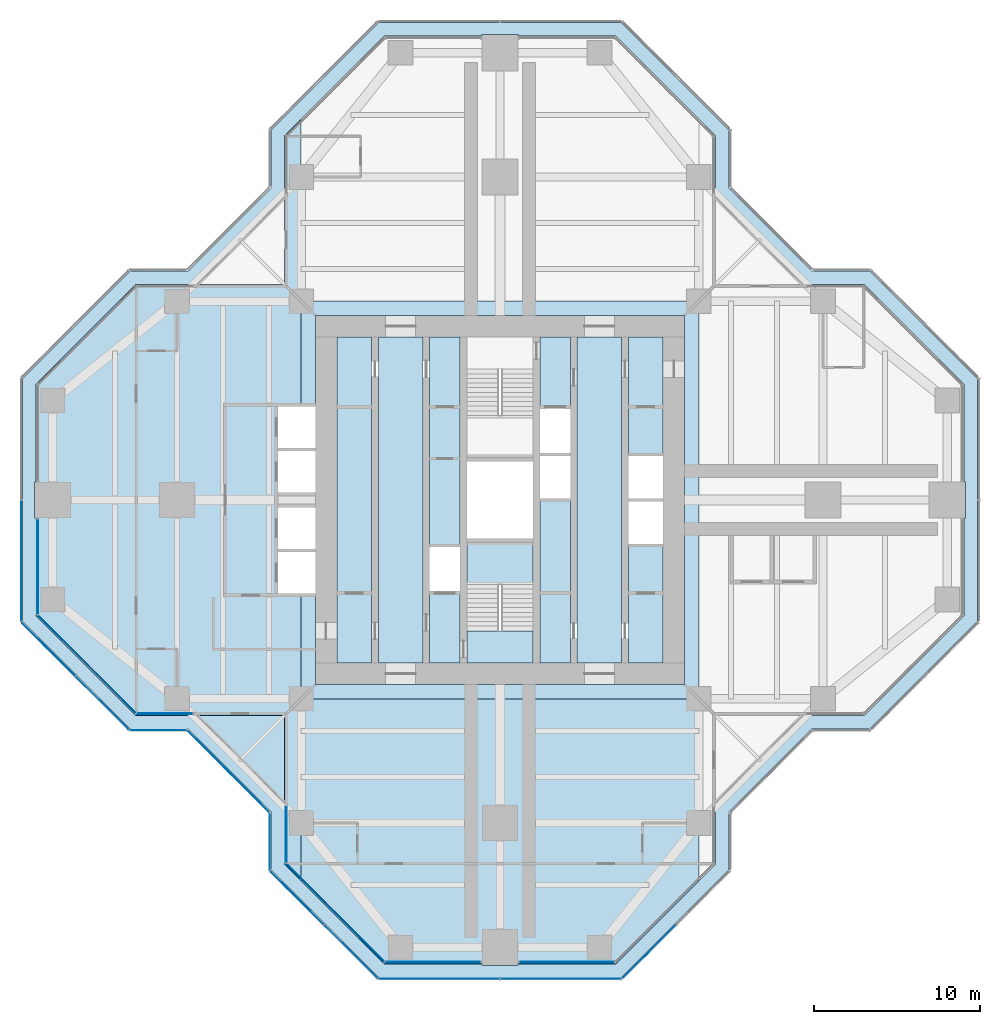
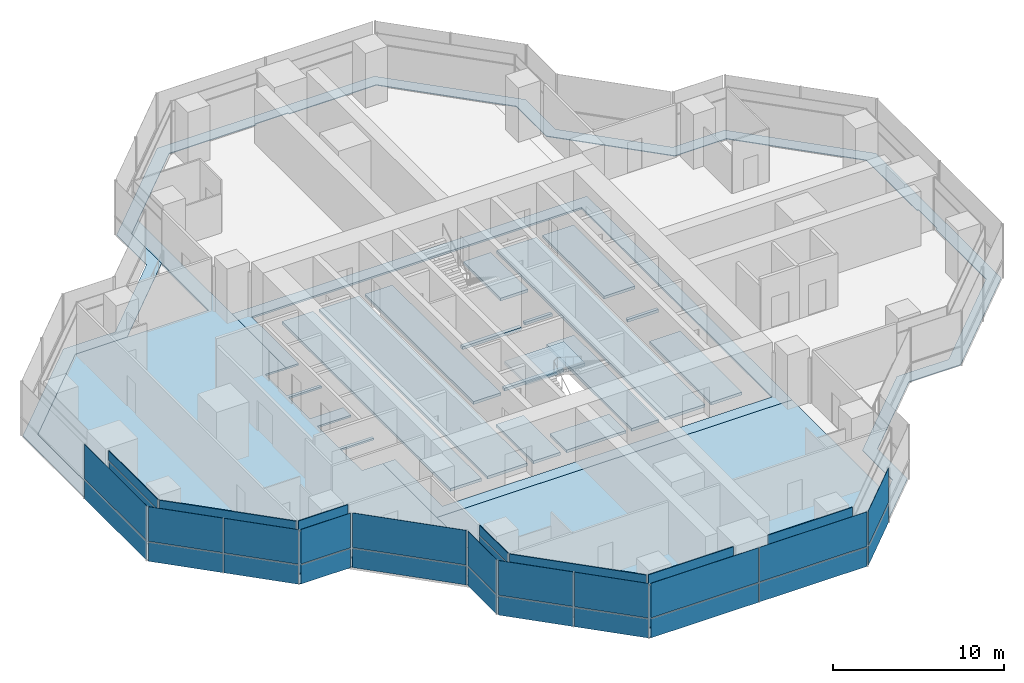
# One storey, part 10 of 17: 37 plates, 7 slabs, 16 elements without a shape of their own.
"""IFC4 building model written with IfcOpenShell, lengths in metres."""

from ifc_helpers import new_model, si_unit, direction, frame, origin, origin_2d, place, context, subcontext, project, spatial, polyline, rectangle, outline, extrude, material, layer, layer_set, type_object, element, aggregate, save


model = new_model("IFC4")

# Units and contexts
model_context = context("Model", 3, precision=1e-05, world=origin(), true_north=direction((0.0, 1.0)))
body_context = subcontext(model_context, "Body", "Model", "MODEL_VIEW")
ifc_project = project(units=[si_unit("LENGTHUNIT", "METRE"), si_unit("AREAUNIT", "SQUARE_METRE"), si_unit("VOLUMEUNIT", "CUBIC_METRE"), si_unit("PLANEANGLEUNIT", "RADIAN"), si_unit("MASSUNIT", "GRAM", prefix="KILO")], contexts=[model_context])

# Site, building, storey
site_placement = place(None, origin())
site = spatial("IfcSite", under=ifc_project, at=site_placement, CompositionType="ELEMENT")
building_placement = place(site_placement, origin())
building = spatial("IfcBuilding", under=site, at=building_placement, Name="Mizan Broadcast Tower", CompositionType="ELEMENT")
storey_placement = place(building_placement, frame((0.0, 0.0, 243.89990234375)))
storey = spatial("IfcBuildingStorey", under=building, at=storey_placement, Name="L57", CompositionType="ELEMENT", Elevation=243.89990234375)

# Plate
ifc_material_1 = material(Name="Aluminium grating", Category="aluminium")
ifc_layer_1 = layer(ifc_material_1, 0.050048828125)
ifc_layer_set_1 = layer_set([ifc_layer_1], Name="Aluminium grating")
plate_type_1 = type_object("IfcPlateType", Name="CAVITY GRATING", PredefinedType="USERDEFINED", material=ifc_layer_set_1)
plate_1_placement = place(storey_placement, frame((0.0, 0.0, -0.0498046875)))
element("IfcPlate", 1, at=plate_1_placement, inside=storey, type_object=plate_type_1, Name="Cavity grating L57", ObjectType="GRATING", PredefinedType="USERDEFINED", context=body_context, shape_type="SweptSolid", body=[
    extrude(outline(polyline([(13.820068359375, -18.839599609375), (18.839599609375, -13.820068359375), (22.339599609375, -13.820068359375), (28.820068359375, -7.339599609375), (28.820068359375, 7.339599609375), (22.339599609375, 13.820068359375), (18.839599609375, 13.820068359375), (13.820068359375, 18.839599609375), (13.820068359375, 22.339599609375), (7.339599609375, 28.820068359375), (-7.339599609375, 28.820068359375), (-13.820068359375, 22.339599609375), (-13.820068359375, 18.839599609375), (-18.839599609375, 13.820068359375), (-22.339599609375, 13.820068359375), (-28.820068359375, 7.339599609375), (-28.820068359375, -7.339599609375), (-22.339599609375, -13.820068359375), (-18.839599609375, -13.820068359375), (-13.820068359375, -18.839599609375), (-13.820068359375, -22.339599609375), (-7.339599609375, -28.820068359375), (7.339599609375, -28.820068359375), (13.820068359375, -22.339599609375), (13.820068359375, -18.839599609375)]), holes=[polyline([(28.0, -1.10009765625), (28.0, -7.0), (22.0, -13.0), (18.5, -13.0), (13.0, -18.5), (13.0, -22.0), (7.0, -28.0), (1.10009765625, -28.0), (1.10009765625, -28.10009765625), (-1.10009765625, -28.10009765625), (-1.10009765625, -28.0), (-7.0, -28.0), (-13.0, -22.0), (-13.0, -18.5), (-18.5, -13.0), (-22.0, -13.0), (-28.0, -7.0), (-28.0, -1.10009765625), (-28.10009765625, -1.10009765625), (-28.10009765625, 1.10009765625), (-28.0, 1.10009765625), (-28.0, 7.0), (-22.0, 13.0), (-18.5, 13.0), (-13.0, 18.5), (-13.0, 22.0), (-7.0, 28.0), (-1.10009765625, 28.0), (-1.10009765625, 28.10009765625), (1.10009765625, 28.10009765625), (1.10009765625, 28.0), (7.0, 28.0), (13.0, 22.0), (13.0, 18.5), (18.5, 13.0), (22.0, 13.0), (28.0, 7.0), (28.0, 1.10009765625), (28.10009765625, 1.10009765625), (28.10009765625, -1.10009765625), (28.0, -1.10009765625)])]), origin(), (0.0, 0.0, 1.0), 0.0498046875),
])

# Slabs
ifc_material_2 = material(Name="Concrete C32/40", Category="concrete")
ifc_layer_2 = layer(ifc_material_2, 0.1298828125)
ifc_layer_set_2 = layer_set([ifc_layer_2], Name="Concrete C32/40")
slab_type_1 = type_object("IfcSlabType", Name="COMPOSITE DECK SLAB 130", PredefinedType="FLOOR", material=ifc_layer_set_2)
slab_1_placement = place(storey_placement, frame((0.0, 0.0, -0.1298828125)))
element("IfcSlab", 2, at=slab_1_placement, inside=storey, type_object=slab_type_1, Name="Floor slab L57 centre", PredefinedType="FLOOR", context=body_context, shape_type="SweptSolid", body=[
    extrude(outline(polyline([(-11.14990234375, -5.64990234375), (-12.0, -5.64990234375), (-12.0, -12.0), (12.0, -12.0), (12.0, 12.0), (-12.0, 12.0), (-12.0, 5.64990234375), (-11.14990234375, 5.64990234375), (-11.14990234375, 11.14990234375), (11.14990234375, 11.14990234375), (11.14990234375, -11.14990234375), (-11.14990234375, -11.14990234375), (-11.14990234375, -5.64990234375)])), origin(), (0.0, 0.0, 1.0), 0.1298828125),
])
slab_2_placement = place(storey_placement, frame((0.0, 0.0, -0.1298828125)))
element("IfcSlab", 3, at=slab_2_placement, inside=storey, type_object=slab_type_1, Name="Floor slab L57 west arm", PredefinedType="FLOOR", context=body_context, shape_type="SweptSolid", body=[
    extrude(outline(polyline([(-22.0, 13.0), (-28.0, 7.0), (-28.0, -7.0), (-22.0, -13.0), (-13.0, -13.0), (-13.0, -22.0), (-12.0, -23.0), (-12.0, -5.64990234375), (-13.39990234375, -5.64990234375), (-13.39990234375, -3.14990234375), (-11.14990234375, -3.14990234375), (-11.14990234375, -2.949951171875), (-13.39990234375, -2.949951171875), (-13.39990234375, -0.449951171875), (-11.14990234375, -0.449951171875), (-11.14990234375, 0.449951171875), (-13.39990234375, 0.449951171875), (-13.39990234375, 2.949951171875), (-11.14990234375, 2.949951171875), (-11.14990234375, 3.14990234375), (-13.39990234375, 3.14990234375), (-13.39990234375, 5.64990234375), (-12.0, 5.64990234375), (-12.0, 23.0), (-13.0, 22.0), (-13.0, 13.0), (-22.0, 13.0)])), origin(), (0.0, 0.0, 1.0), 0.1298828125),
])
slab_3_placement = place(storey_placement, frame((0.0, 0.0, -0.1298828125)))
element("IfcSlab", 4, at=slab_3_placement, inside=storey, type_object=slab_type_1, Name="Floor slab L57 south arm", PredefinedType="FLOOR", context=body_context, shape_type="SweptSolid", body=[
    extrude(outline(polyline([(7.0, -28.0), (12.0, -23.0), (12.0, -12.0), (-12.0, -12.0), (-12.0, -23.0), (-7.0, -28.0), (7.0, -28.0)])), origin(), (0.0, 0.0, 1.0), 0.1298828125),
])
ifc_material_3 = material(Name="Concrete C40/50", Category="concrete")
ifc_layer_3 = layer(ifc_material_3, 0.199951171875)
ifc_layer_set_3 = layer_set([ifc_layer_3], Name="Concrete C40/50")
slab_type_2 = type_object("IfcSlabType", Name="CORE FLOOR 200", PredefinedType="FLOOR", material=ifc_layer_set_3)
slab_4_placement = place(storey_placement, frame((0.0, 0.0, -0.199951171875)))
element("IfcSlab", 5, at=slab_4_placement, inside=storey, type_object=slab_type_2, Name="Core floor L57", PredefinedType="FLOOR", context=body_context, shape_type="SweptSolid", body=[
    extrude(outline(polyline([(-9.85009765625, -9.85009765625), (-7.75, -9.85009765625), (-7.75, 9.85009765625), (-9.85009765625, 9.85009765625), (-9.85009765625, -9.85009765625)])), origin(), (0.0, 0.0, 1.0), 0.199951171875),
    extrude(outline(polyline([(-4.64990234375, 9.85009765625), (-7.35009765625, 9.85009765625), (-7.35009765625, -9.85009765625), (-4.64990234375, -9.85009765625), (-4.64990234375, 9.85009765625)])), origin(), (0.0, 0.0, 1.0), 0.199951171875),
    extrude(outline(polyline([(-4.25, -5.5), (-4.25, -9.85009765625), (-2.39990234375, -9.85009765625), (-2.39990234375, -5.5), (-4.25, -5.5)])), origin(), (0.0, 0.0, 1.0), 0.199951171875),
    extrude(outline(polyline([(-4.25, -2.85009765625), (-2.39990234375, -2.85009765625), (-2.39990234375, 9.85009765625), (-4.25, 9.85009765625), (-4.25, -2.85009765625)])), origin(), (0.0, 0.0, 1.0), 0.199951171875),
    extrude(outline(polyline([(2.0, -2.324951171875), (-2.0, -2.324951171875), (-2.0, -2.574951171875), (2.0, -2.574951171875), (2.0, -2.324951171875)])), origin(), (0.0, 0.0, 1.0), 0.199951171875),
    extrude(outline(polyline([(2.0, 2.574951171875), (-2.0, 2.574951171875), (-2.0, 2.324951171875), (2.0, 2.324951171875), (2.0, 2.574951171875)])), origin(), (0.0, 0.0, 1.0), 0.199951171875),
    extrude(outline(polyline([(4.25, -9.85009765625), (4.25, 0.10009765625), (2.39990234375, 0.10009765625), (2.39990234375, -9.85009765625), (4.25, -9.85009765625)])), origin(), (0.0, 0.0, 1.0), 0.199951171875),
    extrude(outline(polyline([(4.25, 2.64990234375), (4.25, 2.85009765625), (2.39990234375, 2.85009765625), (2.39990234375, 2.64990234375), (4.25, 2.64990234375)])), origin(), (0.0, 0.0, 1.0), 0.199951171875),
    extrude(outline(polyline([(4.25, 5.5), (4.25, 9.85009765625), (2.39990234375, 9.85009765625), (2.39990234375, 5.5), (4.25, 5.5)])), origin(), (0.0, 0.0, 1.0), 0.199951171875),
    extrude(outline(polyline([(4.64990234375, 9.85009765625), (4.64990234375, -9.85009765625), (7.35009765625, -9.85009765625), (7.35009765625, 9.85009765625), (4.64990234375, 9.85009765625)])), origin(), (0.0, 0.0, 1.0), 0.199951171875),
    extrude(outline(polyline([(9.85009765625, -9.85009765625), (9.85009765625, -2.64990234375), (7.75, -2.64990234375), (7.75, -9.85009765625), (9.85009765625, -9.85009765625)])), origin(), (0.0, 0.0, 1.0), 0.199951171875),
    extrude(outline(polyline([(9.85009765625, -0.10009765625), (9.85009765625, 0.10009765625), (7.75, 0.10009765625), (7.75, -0.10009765625), (9.85009765625, -0.10009765625)])), origin(), (0.0, 0.0, 1.0), 0.199951171875),
    extrude(outline(polyline([(7.75, 9.85009765625), (7.75, 2.64990234375), (9.85009765625, 2.64990234375), (9.85009765625, 9.85009765625), (7.75, 9.85009765625)])), origin(), (0.0, 0.0, 1.0), 0.199951171875),
])

# Curtain wall, plate
ifc_material_4 = material(Name="Aluminium framed glazing", Category="aluminium")
curtain_wall_type_1 = type_object("IfcCurtainWallType", Name="INNER SKIN HIGH ZONE", PredefinedType="USERDEFINED", material=ifc_material_4)
curtain_wall_1_placement = place(storey_placement, origin())
curtain_wall_1 = element("IfcCurtainWall", 6, at=curtain_wall_1_placement, inside=storey, type_object=curtain_wall_type_1, Name="Inner skin high zone L57 W end", ObjectType="INNER SKIN HIGH ZONE", PredefinedType="USERDEFINED")
ifc_material_5 = material(Name="Double glazing, clear low-e", Category="glass")
ifc_layer_4 = layer(ifc_material_5, 0.028076171875)
ifc_layer_set_4 = layer_set([ifc_layer_4], Name="Double glazing, clear low-e")
plate_type_2 = type_object("IfcPlateType", Name="INNER SKIN GLAZING UNIT", PredefinedType="CURTAIN_PANEL", material=ifc_layer_set_4)
plate_2_placement = place(storey_placement, frame((-27.89990234375, -4.029296875, 0.0), z_axis=(0.0, 0.0, 1.0), x_axis=(0.0, -1.0, 0.0)))
plate_2 = element("IfcPlate", 7, at=plate_2_placement, type_object=plate_type_2, Name="Inner skin high zone L57 W end panel 1.1", PredefinedType="CURTAIN_PANEL", context=body_context, shape_type="SweptSolid", body=[
    extrude(rectangle(XDim=5.738525390625, YDim=0.028076171875, at=origin_2d()), origin(), (0.0, 0.0, 1.0), 3.0),
])

curtain_wall_2_placement = place(storey_placement, origin())
curtain_wall_2 = element("IfcCurtainWall", 8, at=curtain_wall_2_placement, inside=storey, type_object=curtain_wall_type_1, Name="Inner skin high zone L57 W chamfer", ObjectType="INNER SKIN HIGH ZONE", PredefinedType="USERDEFINED")
plate_3_placement = place(storey_placement, frame((-24.92919921875, -9.92919921875, 0.0), z_axis=(0.0, 0.0, 1.0), x_axis=(0.707106781187, -0.707106781187, 0.0)))
plate_3 = element("IfcPlate", 9, at=plate_3_placement, type_object=plate_type_2, Name="Inner skin high zone L57 W chamfer panel 1.1", PredefinedType="CURTAIN_PANEL", context=body_context, shape_type="SweptSolid", body=[
    extrude(rectangle(XDim=8.282470703125, YDim=0.028076171875, at=origin_2d()), origin(), (0.0, 0.0, 1.0), 3.0),
])

curtain_wall_3_placement = place(storey_placement, origin())
curtain_wall_3 = element("IfcCurtainWall", 10, at=curtain_wall_3_placement, inside=storey, type_object=curtain_wall_type_1, Name="Inner skin high zone L57 W side", ObjectType="INNER SKIN HIGH ZONE", PredefinedType="USERDEFINED")
plate_4_placement = place(storey_placement, frame((-20.229248046875, -12.89990234375, 0.0), z_axis=(0.0, 0.0, 1.0), x_axis=(1.0, 0.0, 0.0)))
plate_4 = element("IfcPlate", 11, at=plate_4_placement, type_object=plate_type_2, Name="Inner skin high zone L57 W side panel 1.1", PredefinedType="CURTAIN_PANEL", context=body_context, shape_type="SweptSolid", body=[
    extrude(rectangle(XDim=3.338623046875, YDim=0.028076171875, at=origin_2d()), origin(), (0.0, 0.0, 1.0), 3.0),
])

curtain_wall_4_placement = place(storey_placement, origin())
curtain_wall_4 = element("IfcCurtainWall", 12, at=curtain_wall_4_placement, inside=storey, type_object=curtain_wall_type_1, Name="Inner skin high zone L57 S side", ObjectType="INNER SKIN HIGH ZONE", PredefinedType="USERDEFINED")
plate_5_placement = place(storey_placement, frame((-12.89990234375, -20.229248046875, 0.0), z_axis=(0.0, 0.0, 1.0), x_axis=(0.0, -1.0, 0.0)))
plate_5 = element("IfcPlate", 13, at=plate_5_placement, type_object=plate_type_2, Name="Inner skin high zone L57 S side panel 1.1", PredefinedType="CURTAIN_PANEL", context=body_context, shape_type="SweptSolid", body=[
    extrude(rectangle(XDim=3.338623046875, YDim=0.028076171875, at=origin_2d()), origin(), (0.0, 0.0, 1.0), 3.0),
])

curtain_wall_5_placement = place(storey_placement, origin())
curtain_wall_5 = element("IfcCurtainWall", 14, at=curtain_wall_5_placement, inside=storey, type_object=curtain_wall_type_1, Name="Inner skin high zone L57 S chamfer", ObjectType="INNER SKIN HIGH ZONE", PredefinedType="USERDEFINED")
plate_6_placement = place(storey_placement, frame((-9.92919921875, -24.92919921875, 0.0), z_axis=(0.0, 0.0, 1.0), x_axis=(0.707106781187, -0.707106781187, 0.0)))
plate_6 = element("IfcPlate", 15, at=plate_6_placement, type_object=plate_type_2, Name="Inner skin high zone L57 S chamfer panel 1.1", PredefinedType="CURTAIN_PANEL", context=body_context, shape_type="SweptSolid", body=[
    extrude(rectangle(XDim=8.282470703125, YDim=0.028076171875, at=origin_2d()), origin(), (0.0, 0.0, 1.0), 3.0),
])

curtain_wall_6_placement = place(storey_placement, origin())
curtain_wall_6 = element("IfcCurtainWall", 16, at=curtain_wall_6_placement, inside=storey, type_object=curtain_wall_type_1, Name="Inner skin high zone L57 S end", ObjectType="INNER SKIN HIGH ZONE", PredefinedType="USERDEFINED")
plate_7_placement = place(storey_placement, frame((-4.029296875, -27.89990234375, 0.0), z_axis=(0.0, 0.0, 1.0), x_axis=(1.0, 0.0, 0.0)))
plate_7 = element("IfcPlate", 17, at=plate_7_placement, type_object=plate_type_2, Name="Inner skin high zone L57 S end panel 1.1", PredefinedType="CURTAIN_PANEL", context=body_context, shape_type="SweptSolid", body=[
    extrude(rectangle(XDim=5.738525390625, YDim=0.028076171875, at=origin_2d()), origin(), (0.0, 0.0, 1.0), 3.0),
])

curtain_wall_7_placement = place(storey_placement, origin())
curtain_wall_7 = element("IfcCurtainWall", 18, at=curtain_wall_7_placement, inside=storey, type_object=curtain_wall_type_1, Name="Inner skin high zone L57 S end", ObjectType="INNER SKIN HIGH ZONE", PredefinedType="USERDEFINED")
plate_8_placement = place(storey_placement, frame((4.029296875, -27.89990234375, 0.0), z_axis=(0.0, 0.0, 1.0), x_axis=(1.0, 0.0, 0.0)))
plate_8 = element("IfcPlate", 19, at=plate_8_placement, type_object=plate_type_2, Name="Inner skin high zone L57 S end panel 1.1", PredefinedType="CURTAIN_PANEL", context=body_context, shape_type="SweptSolid", body=[
    extrude(rectangle(XDim=5.738525390625, YDim=0.028076171875, at=origin_2d()), origin(), (0.0, 0.0, 1.0), 3.0),
])

# Plate
ifc_material_6 = material(Name="Insulated aluminium spandrel panel, pale anodised", Category="aluminium")
ifc_layer_5 = layer(ifc_material_6, 0.050048828125)
ifc_layer_set_5 = layer_set([ifc_layer_5], Name="Insulated aluminium spandrel panel, pale anodised")
plate_type_3 = type_object("IfcPlateType", Name="INNER SKIN SPANDREL PANEL", PredefinedType="CURTAIN_PANEL", material=ifc_layer_set_5)
plate_9_placement = place(storey_placement, frame((-27.89990234375, -4.029296875, 3.06005859375), z_axis=(0.0, 0.0, 1.0), x_axis=(0.0, -1.0, 0.0)))
plate_9 = element("IfcPlate", 20, at=plate_9_placement, type_object=plate_type_3, Name="Inner skin high zone L57 W end panel 1.2", PredefinedType="CURTAIN_PANEL", context=body_context, shape_type="SweptSolid", body=[
    extrude(rectangle(XDim=5.738525390625, YDim=0.050048828125, at=origin_2d()), origin(), (0.0, 0.0, 1.0), 0.7099609375),
])

aggregate(curtain_wall_1, [plate_2, plate_9])

plate_10_placement = place(storey_placement, frame((-24.92919921875, -9.92919921875, 3.06005859375), z_axis=(0.0, 0.0, 1.0), x_axis=(0.707106781187, -0.707106781187, 0.0)))
plate_10 = element("IfcPlate", 21, at=plate_10_placement, type_object=plate_type_3, Name="Inner skin high zone L57 W chamfer panel 1.2", PredefinedType="CURTAIN_PANEL", context=body_context, shape_type="SweptSolid", body=[
    extrude(rectangle(XDim=8.282470703125, YDim=0.050048828125, at=origin_2d()), origin(), (0.0, 0.0, 1.0), 0.7099609375),
])

aggregate(curtain_wall_2, [plate_3, plate_10])

plate_11_placement = place(storey_placement, frame((-20.229248046875, -12.89990234375, 3.06005859375), z_axis=(0.0, 0.0, 1.0), x_axis=(1.0, 0.0, 0.0)))
plate_11 = element("IfcPlate", 22, at=plate_11_placement, type_object=plate_type_3, Name="Inner skin high zone L57 W side panel 1.2", PredefinedType="CURTAIN_PANEL", context=body_context, shape_type="SweptSolid", body=[
    extrude(rectangle(XDim=3.338623046875, YDim=0.050048828125, at=origin_2d()), origin(), (0.0, 0.0, 1.0), 0.7099609375),
])

aggregate(curtain_wall_3, [plate_4, plate_11])

plate_12_placement = place(storey_placement, frame((-12.89990234375, -20.229248046875, 3.06005859375), z_axis=(0.0, 0.0, 1.0), x_axis=(0.0, -1.0, 0.0)))
plate_12 = element("IfcPlate", 23, at=plate_12_placement, type_object=plate_type_3, Name="Inner skin high zone L57 S side panel 1.2", PredefinedType="CURTAIN_PANEL", context=body_context, shape_type="SweptSolid", body=[
    extrude(rectangle(XDim=3.338623046875, YDim=0.050048828125, at=origin_2d()), origin(), (0.0, 0.0, 1.0), 0.7099609375),
])

aggregate(curtain_wall_4, [plate_5, plate_12])

plate_13_placement = place(storey_placement, frame((-9.92919921875, -24.92919921875, 3.06005859375), z_axis=(0.0, 0.0, 1.0), x_axis=(0.707106781187, -0.707106781187, 0.0)))
plate_13 = element("IfcPlate", 24, at=plate_13_placement, type_object=plate_type_3, Name="Inner skin high zone L57 S chamfer panel 1.2", PredefinedType="CURTAIN_PANEL", context=body_context, shape_type="SweptSolid", body=[
    extrude(rectangle(XDim=8.282470703125, YDim=0.050048828125, at=origin_2d()), origin(), (0.0, 0.0, 1.0), 0.7099609375),
])

aggregate(curtain_wall_5, [plate_6, plate_13])

plate_14_placement = place(storey_placement, frame((-4.029296875, -27.89990234375, 3.06005859375), z_axis=(0.0, 0.0, 1.0), x_axis=(1.0, 0.0, 0.0)))
plate_14 = element("IfcPlate", 25, at=plate_14_placement, type_object=plate_type_3, Name="Inner skin high zone L57 S end panel 1.2", PredefinedType="CURTAIN_PANEL", context=body_context, shape_type="SweptSolid", body=[
    extrude(rectangle(XDim=5.738525390625, YDim=0.050048828125, at=origin_2d()), origin(), (0.0, 0.0, 1.0), 0.7099609375),
])

aggregate(curtain_wall_6, [plate_7, plate_14])

plate_15_placement = place(storey_placement, frame((4.029296875, -27.89990234375, 3.06005859375), z_axis=(0.0, 0.0, 1.0), x_axis=(1.0, 0.0, 0.0)))
plate_15 = element("IfcPlate", 26, at=plate_15_placement, type_object=plate_type_3, Name="Inner skin high zone L57 S end panel 1.2", PredefinedType="CURTAIN_PANEL", context=body_context, shape_type="SweptSolid", body=[
    extrude(rectangle(XDim=5.738525390625, YDim=0.050048828125, at=origin_2d()), origin(), (0.0, 0.0, 1.0), 0.7099609375),
])

aggregate(curtain_wall_7, [plate_8, plate_15])

# Curtain wall, plates
ifc_material_7 = material(Name="Aluminium framed glazing", Category="aluminium")
curtain_wall_type_2 = type_object("IfcCurtainWallType", Name="OUTER SKIN", PredefinedType="USERDEFINED", material=ifc_material_7)
curtain_wall_8_placement = place(storey_placement, origin())
curtain_wall_8 = element("IfcCurtainWall", 27, at=curtain_wall_8_placement, inside=storey, type_object=curtain_wall_type_2, Name="Outer skin L57 W chamfer", ObjectType="OUTER SKIN", PredefinedType="USERDEFINED")
ifc_material_8 = material(Name="Laminated clear glass", Category="glass")
ifc_layer_6 = layer(ifc_material_8, 0.02001953125)
ifc_layer_set_6 = layer_set([ifc_layer_6], Name="Laminated clear glass")
plate_type_4 = type_object("IfcPlateType", Name="OUTER SKIN CLEAR GLASS", PredefinedType="CURTAIN_PANEL", material=ifc_layer_set_6)
plate_16_placement = place(storey_placement, frame((-27.254150390625, -9.018798828125, 0.0), z_axis=(0.0, 0.0, 1.0), x_axis=(0.707106781187, -0.707106781187, 0.0)))
plate_16 = element("IfcPlate", 28, at=plate_16_placement, type_object=plate_type_4, Name="Outer skin L57 W chamfer panel 1.1", PredefinedType="CURTAIN_PANEL", context=body_context, shape_type="SweptSolid", body=[
    extrude(rectangle(XDim=4.495361328125, YDim=0.02001953125, at=origin_2d()), origin(), (0.0, 0.0, 1.0), 1.3701171875),
])
plate_17_placement = place(storey_placement, frame((-27.254150390625, -9.018798828125, 1.43017578125), z_axis=(0.0, 0.0, 1.0), x_axis=(0.707106781187, -0.707106781187, 0.0)))
plate_17 = element("IfcPlate", 29, at=plate_17_placement, type_object=plate_type_4, Name="Outer skin L57 W chamfer panel 1.2", PredefinedType="CURTAIN_PANEL", context=body_context, shape_type="SweptSolid", body=[
    extrude(rectangle(XDim=4.495361328125, YDim=0.02001953125, at=origin_2d()), origin(), (0.0, 0.0, 1.0), 2.469970703125),
])

curtain_wall_9_placement = place(storey_placement, origin())
curtain_wall_9 = element("IfcCurtainWall", 30, at=curtain_wall_9_placement, inside=storey, type_object=curtain_wall_type_2, Name="Outer skin L57 W side", ObjectType="OUTER SKIN", PredefinedType="USERDEFINED")
plate_18_placement = place(storey_placement, frame((-20.622802734375, -13.89990234375, 0.0), z_axis=(0.0, 0.0, 1.0), x_axis=(1.0, 0.0, 0.0)))
plate_18 = element("IfcPlate", 31, at=plate_18_placement, type_object=plate_type_4, Name="Outer skin L57 W side panel 1.1", PredefinedType="CURTAIN_PANEL", context=body_context, shape_type="SweptSolid", body=[
    extrude(rectangle(XDim=3.340087890625, YDim=0.02001953125, at=origin_2d()), origin(), (0.0, 0.0, 1.0), 1.3701171875),
])
plate_19_placement = place(storey_placement, frame((-20.622802734375, -13.89990234375, 1.43017578125), z_axis=(0.0, 0.0, 1.0), x_axis=(1.0, 0.0, 0.0)))
plate_19 = element("IfcPlate", 32, at=plate_19_placement, type_object=plate_type_4, Name="Outer skin L57 W side panel 1.2", PredefinedType="CURTAIN_PANEL", context=body_context, shape_type="SweptSolid", body=[
    extrude(rectangle(XDim=3.340087890625, YDim=0.02001953125, at=origin_2d()), origin(), (0.0, 0.0, 1.0), 2.469970703125),
])
aggregate(curtain_wall_9, [plate_18, plate_19])

curtain_wall_10_placement = place(storey_placement, origin())
curtain_wall_10 = element("IfcCurtainWall", 33, at=curtain_wall_10_placement, inside=storey, type_object=curtain_wall_type_2, Name="Outer skin L57 W chamfer", ObjectType="OUTER SKIN", PredefinedType="USERDEFINED")
plate_20_placement = place(storey_placement, frame((-16.386474609375, -16.386474609375, 0.0), z_axis=(0.0, 0.0, 1.0), x_axis=(0.707106781187, -0.707106781187, 0.0)))
plate_20 = element("IfcPlate", 34, at=plate_20_placement, type_object=plate_type_4, Name="Outer skin L57 W chamfer panel 1.1", PredefinedType="CURTAIN_PANEL", context=body_context, shape_type="SweptSolid", body=[
    extrude(rectangle(XDim=6.87255859375, YDim=0.02001953125, at=origin_2d()), origin(), (0.0, 0.0, 1.0), 1.3701171875),
])
plate_21_placement = place(storey_placement, frame((-16.386474609375, -16.386474609375, 1.43017578125), z_axis=(0.0, 0.0, 1.0), x_axis=(0.707106781187, -0.707106781187, 0.0)))
plate_21 = element("IfcPlate", 35, at=plate_21_placement, type_object=plate_type_4, Name="Outer skin L57 W chamfer panel 1.2", PredefinedType="CURTAIN_PANEL", context=body_context, shape_type="SweptSolid", body=[
    extrude(rectangle(XDim=6.87255859375, YDim=0.02001953125, at=origin_2d()), origin(), (0.0, 0.0, 1.0), 2.469970703125),
])
aggregate(curtain_wall_10, [plate_20, plate_21])

curtain_wall_11_placement = place(storey_placement, origin())
curtain_wall_11 = element("IfcCurtainWall", 36, at=curtain_wall_11_placement, inside=storey, type_object=curtain_wall_type_2, Name="Outer skin L57 S side", ObjectType="OUTER SKIN", PredefinedType="USERDEFINED")
plate_22_placement = place(storey_placement, frame((-13.89990234375, -20.622802734375, 0.0), z_axis=(0.0, 0.0, 1.0), x_axis=(0.0, -1.0, 0.0)))
plate_22 = element("IfcPlate", 37, at=plate_22_placement, type_object=plate_type_4, Name="Outer skin L57 S side panel 1.1", PredefinedType="CURTAIN_PANEL", context=body_context, shape_type="SweptSolid", body=[
    extrude(rectangle(XDim=3.340087890625, YDim=0.02001953125, at=origin_2d()), origin(), (0.0, 0.0, 1.0), 1.3701171875),
])
plate_23_placement = place(storey_placement, frame((-13.89990234375, -20.622802734375, 1.43017578125), z_axis=(0.0, 0.0, 1.0), x_axis=(0.0, -1.0, 0.0)))
plate_23 = element("IfcPlate", 38, at=plate_23_placement, type_object=plate_type_4, Name="Outer skin L57 S side panel 1.2", PredefinedType="CURTAIN_PANEL", context=body_context, shape_type="SweptSolid", body=[
    extrude(rectangle(XDim=3.340087890625, YDim=0.02001953125, at=origin_2d()), origin(), (0.0, 0.0, 1.0), 2.469970703125),
])
aggregate(curtain_wall_11, [plate_22, plate_23])

curtain_wall_12_placement = place(storey_placement, origin())
curtain_wall_12 = element("IfcCurtainWall", 39, at=curtain_wall_12_placement, inside=storey, type_object=curtain_wall_type_2, Name="Outer skin L57 S chamfer", ObjectType="OUTER SKIN", PredefinedType="USERDEFINED")
plate_24_placement = place(storey_placement, frame((-12.254150390625, -24.018798828125, 0.0), z_axis=(0.0, 0.0, 1.0), x_axis=(0.707106781187, -0.707106781187, 0.0)))
plate_24 = element("IfcPlate", 40, at=plate_24_placement, type_object=plate_type_4, Name="Outer skin L57 S chamfer panel 1.1", PredefinedType="CURTAIN_PANEL", context=body_context, shape_type="SweptSolid", body=[
    extrude(rectangle(XDim=4.495361328125, YDim=0.02001953125, at=origin_2d()), origin(), (0.0, 0.0, 1.0), 1.3701171875),
])
plate_25_placement = place(storey_placement, frame((-12.254150390625, -24.018798828125, 1.43017578125), z_axis=(0.0, 0.0, 1.0), x_axis=(0.707106781187, -0.707106781187, 0.0)))
plate_25 = element("IfcPlate", 41, at=plate_25_placement, type_object=plate_type_4, Name="Outer skin L57 S chamfer panel 1.2", PredefinedType="CURTAIN_PANEL", context=body_context, shape_type="SweptSolid", body=[
    extrude(rectangle(XDim=4.495361328125, YDim=0.02001953125, at=origin_2d()), origin(), (0.0, 0.0, 1.0), 2.469970703125),
])

curtain_wall_13_placement = place(storey_placement, origin())
curtain_wall_13 = element("IfcCurtainWall", 42, at=curtain_wall_13_placement, inside=storey, type_object=curtain_wall_type_2, Name="Outer skin L57 S end", ObjectType="OUTER SKIN", PredefinedType="USERDEFINED")
plate_26_placement = place(storey_placement, frame((-3.66650390625, -28.89990234375, 0.0), z_axis=(0.0, 0.0, 1.0), x_axis=(1.0, 0.0, 0.0)))
plate_26 = element("IfcPlate", 43, at=plate_26_placement, type_object=plate_type_4, Name="Outer skin L57 S end panel 1.1", PredefinedType="CURTAIN_PANEL", context=body_context, shape_type="SweptSolid", body=[
    extrude(rectangle(XDim=7.252685546875, YDim=0.02001953125, at=origin_2d()), origin(), (0.0, 0.0, 1.0), 1.3701171875),
])
plate_27_placement = place(storey_placement, frame((-3.66650390625, -28.89990234375, 1.43017578125), z_axis=(0.0, 0.0, 1.0), x_axis=(1.0, 0.0, 0.0)))
plate_27 = element("IfcPlate", 44, at=plate_27_placement, type_object=plate_type_4, Name="Outer skin L57 S end panel 1.2", PredefinedType="CURTAIN_PANEL", context=body_context, shape_type="SweptSolid", body=[
    extrude(rectangle(XDim=7.252685546875, YDim=0.02001953125, at=origin_2d()), origin(), (0.0, 0.0, 1.0), 2.469970703125),
])

curtain_wall_14_placement = place(storey_placement, origin())
curtain_wall_14 = element("IfcCurtainWall", 45, at=curtain_wall_14_placement, inside=storey, type_object=curtain_wall_type_2, Name="Outer skin L57 S chamfer", ObjectType="OUTER SKIN", PredefinedType="USERDEFINED")
plate_28_placement = place(storey_placement, frame((9.018798828125, -27.254150390625, 0.0), z_axis=(0.0, 0.0, 1.0), x_axis=(0.707106781187, 0.707106781187, 0.0)))
plate_28 = element("IfcPlate", 46, at=plate_28_placement, type_object=plate_type_4, Name="Outer skin L57 S chamfer panel 1.1", PredefinedType="CURTAIN_PANEL", context=body_context, shape_type="SweptSolid", body=[
    extrude(rectangle(XDim=4.495361328125, YDim=0.02001953125, at=origin_2d()), origin(), (0.0, 0.0, 1.0), 1.3701171875),
])
plate_29_placement = place(storey_placement, frame((9.018798828125, -27.254150390625, 1.43017578125), z_axis=(0.0, 0.0, 1.0), x_axis=(0.707106781187, 0.707106781187, 0.0)))
plate_29 = element("IfcPlate", 47, at=plate_29_placement, type_object=plate_type_4, Name="Outer skin L57 S chamfer panel 1.2", PredefinedType="CURTAIN_PANEL", context=body_context, shape_type="SweptSolid", body=[
    extrude(rectangle(XDim=4.495361328125, YDim=0.02001953125, at=origin_2d()), origin(), (0.0, 0.0, 1.0), 2.469970703125),
])
aggregate(curtain_wall_14, [plate_28, plate_29])

curtain_wall_15_placement = place(storey_placement, origin())
curtain_wall_15 = element("IfcCurtainWall", 48, at=curtain_wall_15_placement, inside=storey, type_object=curtain_wall_type_2, Name="Outer skin L57 W end", ObjectType="OUTER SKIN", PredefinedType="USERDEFINED")
ifc_material_9 = material(Name="Perforated aluminium, pale anodised", Category="aluminium")
ifc_layer_7 = layer(ifc_material_9, 0.011962890625)
ifc_layer_set_7 = layer_set([ifc_layer_7], Name="Perforated aluminium, pale anodised")
plate_type_5 = type_object("IfcPlateType", Name="OUTER SKIN PERFORATED SCREEN", PredefinedType="USERDEFINED", material=ifc_layer_set_7)
plate_30_placement = place(storey_placement, frame((-28.89990234375, -3.66650390625, 0.0), z_axis=(0.0, 0.0, 1.0), x_axis=(0.0, -1.0, 0.0)))
plate_30 = element("IfcPlate", 49, at=plate_30_placement, type_object=plate_type_5, Name="Outer skin L57 W end panel 2.1", ObjectType="SCREEN", PredefinedType="USERDEFINED", context=body_context, shape_type="SweptSolid", body=[
    extrude(rectangle(XDim=7.252685546875, YDim=0.011962890625, at=origin_2d()), origin(), (0.0, 0.0, 1.0), 1.3701171875),
])
plate_31_placement = place(storey_placement, frame((-28.89990234375, -3.66650390625, 1.43017578125), z_axis=(0.0, 0.0, 1.0), x_axis=(0.0, -1.0, 0.0)))
plate_31 = element("IfcPlate", 50, at=plate_31_placement, type_object=plate_type_5, Name="Outer skin L57 W end panel 2.2", ObjectType="SCREEN", PredefinedType="USERDEFINED", context=body_context, shape_type="SweptSolid", body=[
    extrude(rectangle(XDim=7.252685546875, YDim=0.011962890625, at=origin_2d()), origin(), (0.0, 0.0, 1.0), 2.469970703125),
])
aggregate(curtain_wall_15, [plate_30, plate_31])

# Plate
plate_32_placement = place(storey_placement, frame((-24.018798828125, -12.254150390625, 0.0), z_axis=(0.0, 0.0, 1.0), x_axis=(0.707106781187, -0.707106781187, 0.0)))
plate_32 = element("IfcPlate", 51, at=plate_32_placement, type_object=plate_type_5, Name="Outer skin L57 W chamfer panel 2.1", ObjectType="SCREEN", PredefinedType="USERDEFINED", context=body_context, shape_type="SweptSolid", body=[
    extrude(rectangle(XDim=4.495361328125, YDim=0.011962890625, at=origin_2d()), origin(), (0.0, 0.0, 1.0), 1.3701171875),
])

plate_33_placement = place(storey_placement, frame((-24.018798828125, -12.254150390625, 1.43017578125), z_axis=(0.0, 0.0, 1.0), x_axis=(0.707106781187, -0.707106781187, 0.0)))
plate_33 = element("IfcPlate", 52, at=plate_33_placement, type_object=plate_type_5, Name="Outer skin L57 W chamfer panel 2.2", ObjectType="SCREEN", PredefinedType="USERDEFINED", context=body_context, shape_type="SweptSolid", body=[
    extrude(rectangle(XDim=4.495361328125, YDim=0.011962890625, at=origin_2d()), origin(), (0.0, 0.0, 1.0), 2.469970703125),
])

aggregate(curtain_wall_8, [plate_16, plate_17, plate_32, plate_33])

plate_34_placement = place(storey_placement, frame((-9.018798828125, -27.254150390625, 0.0), z_axis=(0.0, 0.0, 1.0), x_axis=(0.707106781187, -0.707106781187, 0.0)))
plate_34 = element("IfcPlate", 53, at=plate_34_placement, type_object=plate_type_5, Name="Outer skin L57 S chamfer panel 2.1", ObjectType="SCREEN", PredefinedType="USERDEFINED", context=body_context, shape_type="SweptSolid", body=[
    extrude(rectangle(XDim=4.495361328125, YDim=0.011962890625, at=origin_2d()), origin(), (0.0, 0.0, 1.0), 1.3701171875),
])

plate_35_placement = place(storey_placement, frame((-9.018798828125, -27.254150390625, 1.43017578125), z_axis=(0.0, 0.0, 1.0), x_axis=(0.707106781187, -0.707106781187, 0.0)))
plate_35 = element("IfcPlate", 54, at=plate_35_placement, type_object=plate_type_5, Name="Outer skin L57 S chamfer panel 2.2", ObjectType="SCREEN", PredefinedType="USERDEFINED", context=body_context, shape_type="SweptSolid", body=[
    extrude(rectangle(XDim=4.495361328125, YDim=0.011962890625, at=origin_2d()), origin(), (0.0, 0.0, 1.0), 2.469970703125),
])

aggregate(curtain_wall_12, [plate_24, plate_25, plate_34, plate_35])

plate_36_placement = place(storey_placement, frame((3.66650390625, -28.89990234375, 0.0), z_axis=(0.0, 0.0, 1.0), x_axis=(1.0, 0.0, 0.0)))
plate_36 = element("IfcPlate", 55, at=plate_36_placement, type_object=plate_type_5, Name="Outer skin L57 S end panel 2.1", ObjectType="SCREEN", PredefinedType="USERDEFINED", context=body_context, shape_type="SweptSolid", body=[
    extrude(rectangle(XDim=7.252685546875, YDim=0.011962890625, at=origin_2d()), origin(), (0.0, 0.0, 1.0), 1.3701171875),
])

plate_37_placement = place(storey_placement, frame((3.66650390625, -28.89990234375, 1.43017578125), z_axis=(0.0, 0.0, 1.0), x_axis=(1.0, 0.0, 0.0)))
plate_37 = element("IfcPlate", 56, at=plate_37_placement, type_object=plate_type_5, Name="Outer skin L57 S end panel 2.2", ObjectType="SCREEN", PredefinedType="USERDEFINED", context=body_context, shape_type="SweptSolid", body=[
    extrude(rectangle(XDim=7.252685546875, YDim=0.011962890625, at=origin_2d()), origin(), (0.0, 0.0, 1.0), 2.469970703125),
])

aggregate(curtain_wall_13, [plate_26, plate_27, plate_36, plate_37])

# Stair, slabs
ifc_material_10 = material(Name="Concrete C40/50", Category="concrete")
stair_type = type_object("IfcStairType", Name="EXIT STAIR", PredefinedType="HALF_TURN_STAIR", material=ifc_material_10)
stair_placement = place(storey_placement, origin())
stair = element("IfcStair", 57, at=stair_placement, inside=storey, type_object=stair_type, Name="Stair A L57", PredefinedType="HALF_TURN_STAIR")
ifc_material_11 = material(Name="Concrete C40/50", Category="concrete")
ifc_layer_8 = layer(ifc_material_11, 0.199951171875)
ifc_layer_set_8 = layer_set([ifc_layer_8], Name="Concrete C40/50")
slab_type_3 = type_object("IfcSlabType", Name="STAIR LANDING 200", PredefinedType="LANDING", material=ifc_layer_set_8)
slab_5_placement = place(storey_placement, frame((0.0, 0.0, -0.199951171875)))
slab_5 = element("IfcSlab", 58, at=slab_5_placement, type_object=slab_type_3, Name="A landing 1", PredefinedType="LANDING", context=body_context, shape_type="SweptSolid", body=[
    extrude(outline(polyline([(-2.0, -9.85009765625), (-2.0, -7.89990234375), (2.0, -7.89990234375), (2.0, -9.85009765625), (-2.0, -9.85009765625)])), origin(), (0.0, 0.0, 1.0), 0.199951171875),
])
slab_6_placement = place(storey_placement, frame((0.0, 0.0, 1.75)))
slab_6 = element("IfcSlab", 59, at=slab_6_placement, type_object=slab_type_3, Name="A landing 2", PredefinedType="LANDING", context=body_context, shape_type="SweptSolid", body=[
    extrude(outline(polyline([(-2.0, -5.10009765625), (-2.0, -2.574951171875), (2.0, -2.574951171875), (2.0, -5.10009765625), (-2.0, -5.10009765625)])), origin(), (0.0, 0.0, 1.0), 0.2001953125),
])
aggregate(stair, [slab_5, slab_6])

# Slab
ifc_material_12 = material(Name="Concrete C32/40", Category="concrete")
ifc_layer_9 = layer(ifc_material_12, 0.1298828125)
ifc_layer_set_9 = layer_set([ifc_layer_9], Name="Concrete C32/40")
slab_type_4 = type_object("IfcSlabType", Name="WINTER GARDEN SLAB 130", PredefinedType="FLOOR", material=ifc_layer_set_9)
slab_7_placement = place(storey_placement, frame((0.0, 0.0, -0.1298828125)))
element("IfcSlab", 60, at=slab_7_placement, inside=storey, type_object=slab_type_4, Name="Winter garden slab L57 W", PredefinedType="FLOOR", context=body_context, shape_type="SweptSolid", body=[
    extrude(outline(polyline([(-13.0, -13.0), (-18.5, -13.0), (-13.0, -18.5), (-13.0, -13.0)])), origin(), (0.0, 0.0, 1.0), 0.1298828125),
])

save(model, "model.ifc")
